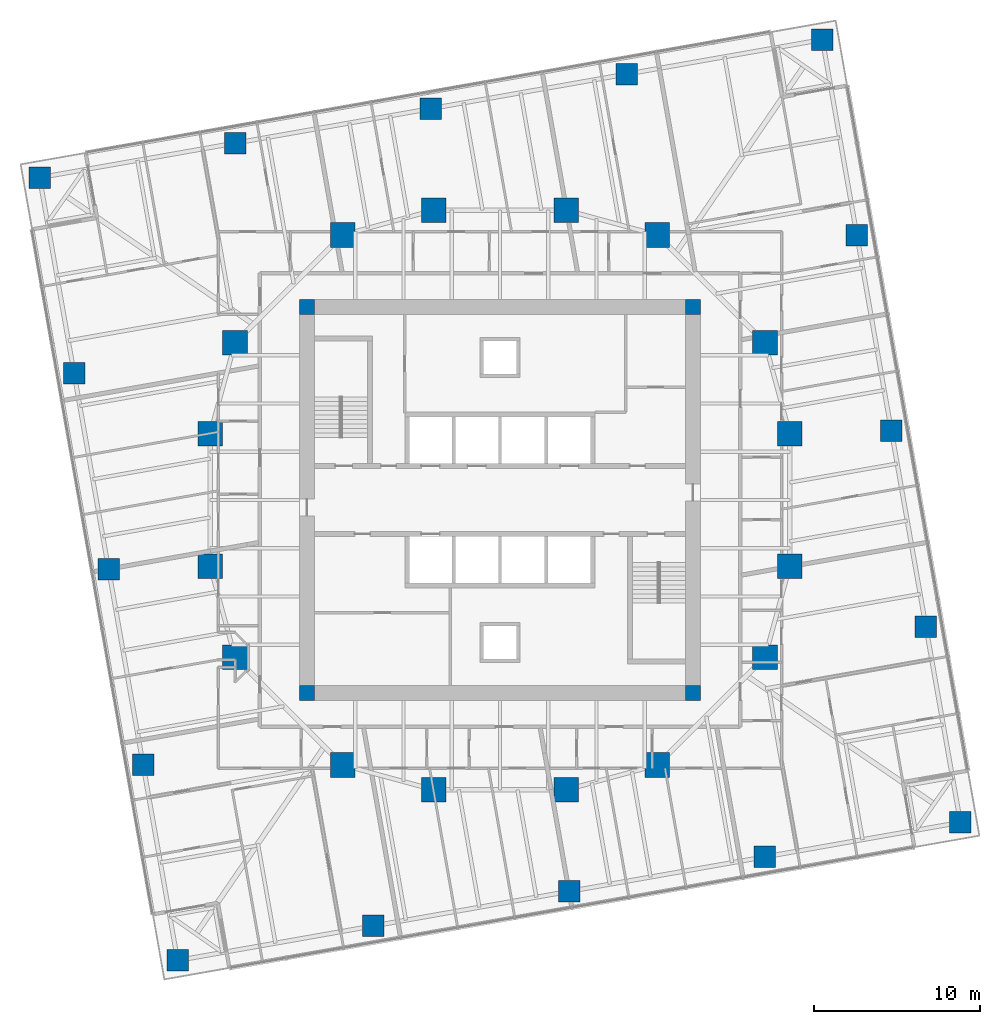
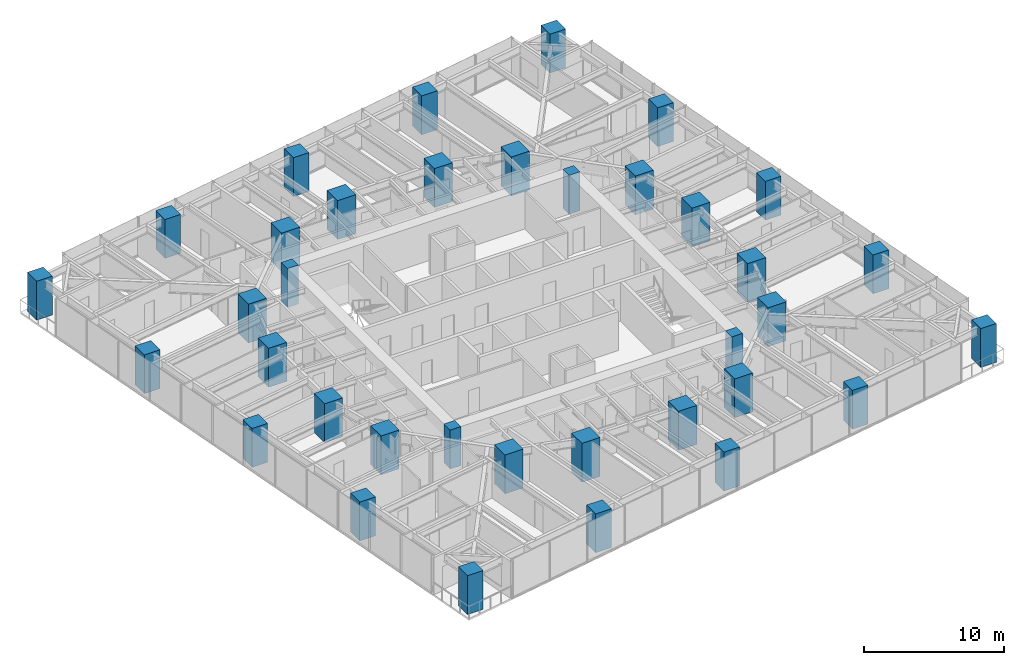
# One storey, part 1 of 14: 36 columns.
"""IFC4 building model written with IfcOpenShell, lengths in metres."""

from ifc_helpers import new_model, si_unit, direction, frame, origin, origin_2d, place, context, subcontext, project, spatial, rectangle, extrude, material, material_profile, profile_set, type_object, element, save


model = new_model("IFC4")

# Units and contexts
model_context = context("Model", 3, precision=1e-05, world=origin(), true_north=direction((0.0, 1.0)))
body_context = subcontext(model_context, "Body", "Model", "MODEL_VIEW")
ifc_project = project(units=[si_unit("LENGTHUNIT", "METRE"), si_unit("AREAUNIT", "SQUARE_METRE"), si_unit("VOLUMEUNIT", "CUBIC_METRE"), si_unit("PLANEANGLEUNIT", "RADIAN"), si_unit("MASSUNIT", "GRAM", prefix="KILO")], contexts=[model_context])

# Site, building, storey
site_placement = place(None, origin())
site = spatial("IfcSite", under=ifc_project, at=site_placement, CompositionType="ELEMENT")
building_placement = place(site_placement, origin())
building = spatial("IfcBuilding", under=site, at=building_placement, Name="Torsade Residences", CompositionType="ELEMENT")
storey_placement = place(building_placement, frame((0.0, 0.0, 93.0)))
storey = spatial("IfcBuildingStorey", under=building, at=storey_placement, Name="L25", CompositionType="ELEMENT", Elevation=93.0)

# Columns
ifc_material_1 = material(Name="Concrete 80 MPa", Category="concrete")
ifc_material_profile_1 = material_profile(ifc_material_1, rectangle(XDim=0.89990234375, YDim=0.89990234375, at=origin_2d()), Name="RC 900x900")
ifc_profile_set_1 = profile_set([ifc_material_profile_1], Name="Concrete 80 MPa")
column_type_1 = type_object("IfcColumnType", Name="CORE CORNER COLUMN RC 900x900", PredefinedType="COLUMN", material=ifc_profile_set_1)
for number, where, z_axis, x_axis, name in (
    (1, (28.35009765625, 18.35009765625, 0.0), (0.0, 0.0, 1.0), (1.0, 0.0, 0.0), "Core corner column CC1 L25"),
    (2, (51.64990234375, 18.35009765625, 0.0), (0.0, 0.0, 1.0), (1.0, 0.0, 0.0), "Core corner column CC2 L25"),
    (3, (51.64990234375, 41.64990234375, 0.0), (0.0, 0.0, 1.0), (1.0, 0.0, 0.0), "Core corner column CC3 L25"),
    (4, (28.35009765625, 41.64990234375, 0.0), (0.0, 0.0, 1.0), (1.0, 0.0, 0.0), "Core corner column CC4 L25"),
):
    element("IfcColumn", number, at=place(storey_placement, frame(where, z_axis=z_axis, x_axis=x_axis)), inside=storey, type_object=column_type_1, Name=name, PredefinedType="COLUMN", context=body_context, shape_type="SweptSolid", body=[
        extrude(rectangle(XDim=0.89990234375, YDim=0.89990234375, at=origin_2d()), origin(), (0.0, 0.0, 1.0), 3.39990234375),
    ])
ifc_material_2 = material(Name="Concrete 80 MPa", Category="concrete")
ifc_material_profile_2 = material_profile(ifc_material_2, rectangle(XDim=1.5, YDim=1.5, at=origin_2d()), Name="RC 1500x1500")
ifc_profile_set_2 = profile_set([ifc_material_profile_2], Name="Concrete 80 MPa")
column_type_2 = type_object("IfcColumnType", Name="INNER RING COLUMN RC 1500x1500", PredefinedType="COLUMN", material=ifc_profile_set_2)
for number, where, z_axis, x_axis, name in (
    (5, (57.5, 26.0, 0.0), (0.0, 0.0, 1.0), (1.0, 0.0, 0.0), "Inner ring column IR01 L25"),
    (6, (57.5, 34.0, 0.0), (0.0, 0.0, 1.0), (1.0, 0.0, 0.0), "Inner ring column IR02 L25"),
    (7, (56.0, 39.5, 0.0), (0.0, 0.0, 1.0), (1.0, 0.0, 0.0), "Inner ring column IR03 L25"),
    (8, (49.5, 46.0, 0.0), (0.0, 0.0, 1.0), (1.0, 0.0, 0.0), "Inner ring column IR04 L25"),
    (9, (44.0, 47.5, 0.0), (0.0, 0.0, 1.0), (1.0, 0.0, 0.0), "Inner ring column IR05 L25"),
    (10, (36.0, 47.5, 0.0), (0.0, 0.0, 1.0), (1.0, 0.0, 0.0), "Inner ring column IR06 L25"),
    (11, (30.5, 46.0, 0.0), (0.0, 0.0, 1.0), (1.0, 0.0, 0.0), "Inner ring column IR07 L25"),
    (12, (24.0, 39.5, 0.0), (0.0, 0.0, 1.0), (1.0, 0.0, 0.0), "Inner ring column IR08 L25"),
    (13, (22.5, 34.0, 0.0), (0.0, 0.0, 1.0), (1.0, 0.0, 0.0), "Inner ring column IR09 L25"),
    (14, (22.5, 26.0, 0.0), (0.0, 0.0, 1.0), (1.0, 0.0, 0.0), "Inner ring column IR10 L25"),
    (15, (24.0, 20.5, 0.0), (0.0, 0.0, 1.0), (1.0, 0.0, 0.0), "Inner ring column IR11 L25"),
    (16, (30.5, 14.0, 0.0), (0.0, 0.0, 1.0), (1.0, 0.0, 0.0), "Inner ring column IR12 L25"),
    (17, (36.0, 12.5, 0.0), (0.0, 0.0, 1.0), (1.0, 0.0, 0.0), "Inner ring column IR13 L25"),
    (18, (44.0, 12.5, 0.0), (0.0, 0.0, 1.0), (1.0, 0.0, 0.0), "Inner ring column IR14 L25"),
    (19, (49.5, 14.0, 0.0), (0.0, 0.0, 1.0), (1.0, 0.0, 0.0), "Inner ring column IR15 L25"),
    (20, (56.0, 20.5, 0.0), (0.0, 0.0, 1.0), (1.0, 0.0, 0.0), "Inner ring column IR16 L25"),
):
    element("IfcColumn", number, at=place(storey_placement, frame(where, z_axis=z_axis, x_axis=x_axis)), inside=storey, type_object=column_type_2, Name=name, PredefinedType="COLUMN", context=body_context, shape_type="SweptSolid", body=[
        extrude(rectangle(XDim=1.5, YDim=1.5, at=origin_2d()), origin(), (0.0, 0.0, 1.0), 3.39990234375),
    ])
ifc_material_3 = material(Name="Concrete 80 MPa", Category="concrete")
ifc_material_profile_3 = material_profile(ifc_material_3, rectangle(XDim=1.300048828125, YDim=1.300048828125, at=origin_2d()), Name="RC 1300x1300")
ifc_profile_set_3 = profile_set([ifc_material_profile_3], Name="Concrete 80 MPa")
column_type_3 = type_object("IfcColumnType", Name="TOWER COLUMN RC 1300x1300", PredefinedType="COLUMN", material=ifc_profile_set_3)
for number, where, z_axis, x_axis, name in (
    (21, (20.5322265625, 2.197021484375, 0.0), (0.0, 0.0, 1.0), (1.0, 0.0, 0.0), "Column TC3-01 L25"),
    (22, (32.349853515625, 4.28076171875, 0.0), (0.0, 0.0, 1.0), (1.0, 0.0, 0.0), "Column TC3-02 L25"),
    (23, (44.16748046875, 6.364501953125, 0.0), (0.0, 0.0, 1.0), (1.0, 0.0, 0.0), "Column TC3-03 L25"),
    (24, (55.9853515625, 8.448486328125, 0.0), (0.0, 0.0, 1.0), (1.0, 0.0, 0.0), "Column TC3-04 L25"),
    (25, (67.802978515625, 10.5322265625, 0.0), (0.0, 0.0, 1.0), (1.0, 0.0, 0.0), "Column TC3-05 L25"),
    (26, (65.71923828125, 22.349853515625, 0.0), (0.0, 0.0, 1.0), (1.0, 0.0, 0.0), "Column TC3-06 L25"),
    (27, (63.635498046875, 34.16748046875, 0.0), (0.0, 0.0, 1.0), (1.0, 0.0, 0.0), "Column TC3-07 L25"),
    (28, (61.551513671875, 45.9853515625, 0.0), (0.0, 0.0, 1.0), (1.0, 0.0, 0.0), "Column TC3-08 L25"),
    (29, (59.4677734375, 57.802978515625, 0.0), (0.0, 0.0, 1.0), (1.0, 0.0, 0.0), "Column TC3-09 L25"),
    (30, (47.650146484375, 55.71923828125, 0.0), (0.0, 0.0, 1.0), (1.0, 0.0, 0.0), "Column TC3-10 L25"),
    (31, (35.83251953125, 53.635498046875, 0.0), (0.0, 0.0, 1.0), (1.0, 0.0, 0.0), "Column TC3-11 L25"),
    (32, (24.0146484375, 51.551513671875, 0.0), (0.0, 0.0, 1.0), (1.0, 0.0, 0.0), "Column TC3-12 L25"),
    (33, (12.197021484375, 49.4677734375, 0.0), (0.0, 0.0, 1.0), (1.0, 0.0, 0.0), "Column TC3-13 L25"),
    (34, (14.28076171875, 37.650146484375, 0.0), (0.0, 0.0, 1.0), (1.0, 0.0, 0.0), "Column TC3-14 L25"),
    (35, (16.364501953125, 25.83251953125, 0.0), (0.0, 0.0, 1.0), (1.0, 0.0, 0.0), "Column TC3-15 L25"),
    (36, (18.448486328125, 14.0146484375, 0.0), (0.0, 0.0, 1.0), (1.0, 0.0, 0.0), "Column TC3-16 L25"),
):
    element("IfcColumn", number, at=place(storey_placement, frame(where, z_axis=z_axis, x_axis=x_axis)), inside=storey, type_object=column_type_3, Name=name, PredefinedType="COLUMN", context=body_context, shape_type="SweptSolid", body=[
        extrude(rectangle(XDim=1.300048828125, YDim=1.300048828125, at=origin_2d()), origin(), (0.0, 0.0, 1.0), 3.39990234375),
    ])

save(model, "model.ifc")
